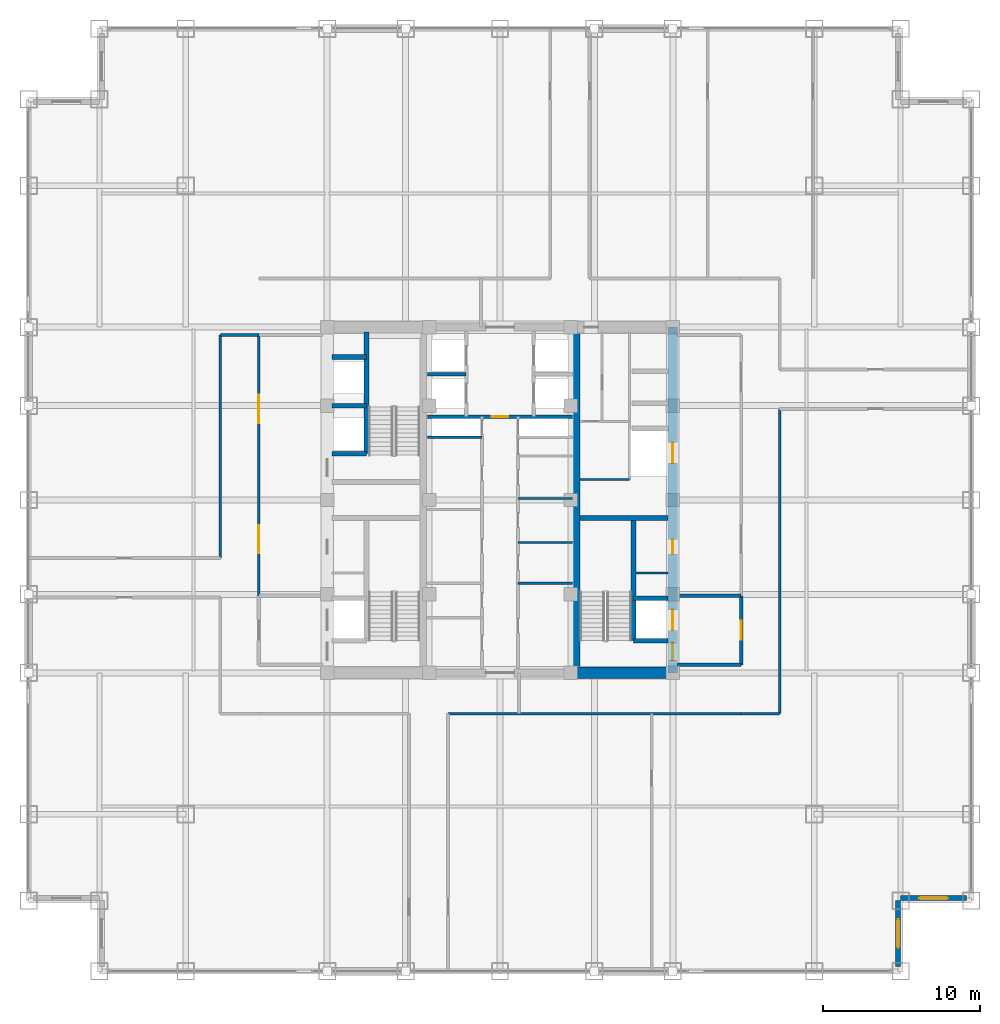
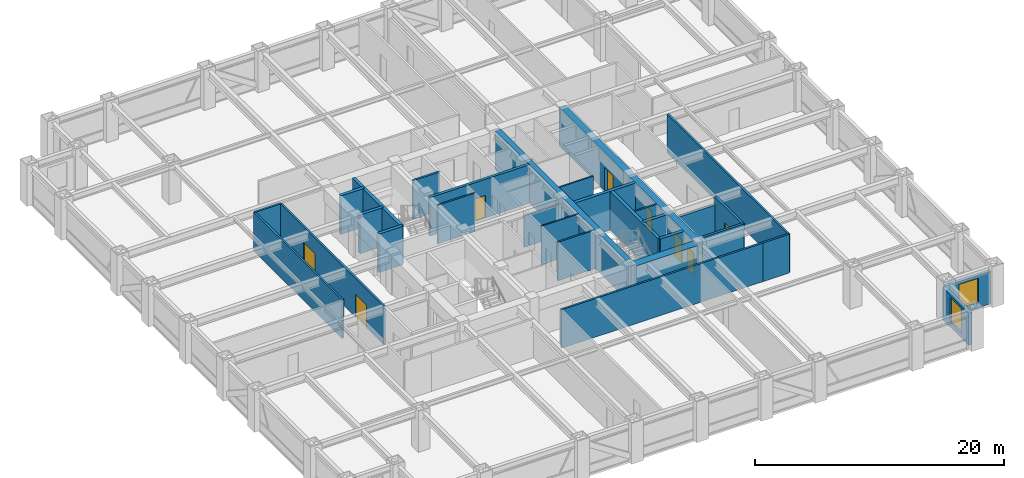
# One storey, part 21 of 24: 30 walls, 8 doors, 2 windows, 10 openings.
"""IFC4 building model written with IfcOpenShell, lengths in metres."""

import ifcopenshell
import ifcopenshell.guid

model = None  # the IFC model being written
_history = None  # IfcOwnerHistory: only IFC2X3 demands one
_inside = {}  # id of a spatial element -> (the spatial element, [elements in it])
_under = {}  # id of a project, library or spatial element -> (it, [spatial elements below it])
_declared = {}  # id of a project -> (the project, [libraries it declares])
_typed = {}  # id of a type object -> (the type object, [elements of that type])
_made_of = {}  # id of a material, layer set ... -> (it, [elements and type objects made of it])


def new_model(schema):
    """Start an empty IFC model of exactly this schema.

    Asked for "IFC4X3", IfcOpenShell would pick the latest addendum, in which some entities
    have other attributes; the version numbers below select the first issue.
    IFC2X3 requires an IfcOwnerHistory on every rooted entity: one is made here for all.
    """
    global model, _history
    if schema == "IFC4X3":
        model = ifcopenshell.file(schema_version=(4, 3, 0, 0))
    else:
        model = ifcopenshell.file(schema=schema)
    _inside.clear()
    _under.clear()
    _declared.clear()
    _typed.clear()
    _made_of.clear()
    _history = None
    if model.schema == "IFC2X3":
        org = make("IfcOrganization", Name="unknown")
        user = make(
            "IfcPersonAndOrganization",
            ThePerson=make("IfcPerson", FamilyName="unknown"),
            TheOrganization=org,
        )
        app = make(
            "IfcApplication",
            ApplicationDeveloper=org,
            Version="unknown",
            ApplicationFullName="unknown",
            ApplicationIdentifier="unknown",
        )
        _history = make(
            "IfcOwnerHistory",
            OwningUser=user,
            OwningApplication=app,
            ChangeAction="ADDED",
            CreationDate=0,
        )
    return model


def make(cls, **values):
    """One entity of the class cls with the attributes given. An attribute that is None is left unset."""
    return model.create_entity(
        cls, **{name: value for name, value in values.items() if value is not None}
    )


def rooted(cls, **values):
    """An entity with a GlobalId (a new one), such as an element, a storey or a relation."""
    return make(cls, GlobalId=ifcopenshell.guid.new(), OwnerHistory=_history, **values)


def si_unit(unit_type, name, prefix=None):
    """IfcSIUnit, for example si_unit("LENGTHUNIT", "METRE", prefix="MILLI")."""
    return make("IfcSIUnit", UnitType=unit_type, Prefix=prefix, Name=name)


def assignment(units):
    """IfcUnitAssignment: the units of a project."""
    return None if units is None else make("IfcUnitAssignment", Units=units)


def point(xyz):
    """IfcCartesianPoint."""
    return None if xyz is None else make("IfcCartesianPoint", Coordinates=xyz)


def direction(xyz):
    """IfcDirection."""
    return None if xyz is None else make("IfcDirection", DirectionRatios=xyz)


def frame(location, z_axis=None, x_axis=None):
    """IfcAxis2Placement3D, a coordinate frame: its origin and axes. An axis left out is left unset."""
    return make(
        "IfcAxis2Placement3D",
        Location=point(location),
        Axis=direction(z_axis),
        RefDirection=direction(x_axis),
    )


def frame_2d(location, x_axis=None):
    """IfcAxis2Placement2D, a coordinate frame in the plane: its origin and x axis."""
    return make(
        "IfcAxis2Placement2D", Location=point(location), RefDirection=direction(x_axis)
    )


def origin():
    """The frame at (0, 0, 0) with its axes left unset."""
    return frame((0.0, 0.0, 0.0))


def place(relative_to, where):
    """IfcLocalPlacement: puts the frame where relative to a parent placement (None: the world)."""
    return make(
        "IfcLocalPlacement", PlacementRelTo=relative_to, RelativePlacement=where
    )


def context(
    kind, dimensions, precision=None, world=None, true_north=None, identifier=None
):
    """IfcGeometricRepresentationContext, for example the 3D "Model" context."""
    return make(
        "IfcGeometricRepresentationContext",
        ContextIdentifier=identifier,
        ContextType=kind,
        CoordinateSpaceDimension=dimensions,
        Precision=precision,
        WorldCoordinateSystem=world,
        TrueNorth=true_north,
    )


def subcontext(parent, identifier, kind, view, scale=None):
    """IfcGeometricRepresentationSubContext, for example "Body" below "Model"."""
    return make(
        "IfcGeometricRepresentationSubContext",
        ContextIdentifier=identifier,
        ContextType=kind,
        ParentContext=parent,
        TargetScale=scale,
        TargetView=view,
    )


def project(units=None, contexts=None):
    """IfcProject with its units and contexts."""
    return rooted(
        "IfcProject",
        Name="project",
        RepresentationContexts=contexts,
        UnitsInContext=assignment(units),
    )


def spatial(cls, under=None, at=None, **own):
    """A site, building, storey or space (cls), placed at a placement, below another one or the project."""
    s = rooted(cls, ObjectPlacement=at, **own)
    if under is not None:
        _under.setdefault(under.id(), (under, []))[1].append(s)
    return s


def profile(cls, at=None, kind="AREA", **sizes):
    """A parametric profile (cls). Its sizes go by their IFC names, for example OverallWidth=200.0."""
    return make(cls, ProfileType=kind, Position=at, **sizes)


def rectangle(**sizes):
    """IfcRectangleProfileDef."""
    return profile("IfcRectangleProfileDef", **sizes)


def extrude(swept, where, along, depth):
    """IfcExtrudedAreaSolid: the profile swept, set in the frame where, extruded along a direction by depth."""
    return make(
        "IfcExtrudedAreaSolid",
        SweptArea=swept,
        Position=where,
        ExtrudedDirection=direction(along),
        Depth=depth,
    )


def shape(context_of_items, identifier, shape_type, items):
    """IfcShapeRepresentation: the items that make up one representation, for example the "Body"."""
    return make(
        "IfcShapeRepresentation",
        ContextOfItems=context_of_items,
        RepresentationIdentifier=identifier,
        RepresentationType=shape_type,
        Items=items,
    )


def source(mapping_origin, context_of_items, identifier, shape_type, items):
    """IfcRepresentationMap: a shape defined once, which mapped items show again and again."""
    return make(
        "IfcRepresentationMap",
        MappingOrigin=mapping_origin,
        MappedRepresentation=shape(context_of_items, identifier, shape_type, items),
    )


def transform(
    local_origin,
    x_axis=None,
    y_axis=None,
    z_axis=None,
    scale=None,
    scale2=None,
    scale3=None,
    uniform=True,
):
    """IfcCartesianTransformationOperator3D, or its non-uniform kind. x_axis, y_axis, z_axis: its Axis1, 2, 3."""
    if uniform:
        return make(
            "IfcCartesianTransformationOperator3D",
            Axis1=direction(x_axis),
            Axis2=direction(y_axis),
            LocalOrigin=point(local_origin),
            Scale=scale,
            Axis3=direction(z_axis),
        )
    return make(
        "IfcCartesianTransformationOperator3DnonUniform",
        Axis1=direction(x_axis),
        Axis2=direction(y_axis),
        LocalOrigin=point(local_origin),
        Scale=scale,
        Axis3=direction(z_axis),
        Scale2=scale2,
        Scale3=scale3,
    )


def mapped(mapping_source, mapping_target):
    """IfcMappedItem: shows the shape of a source again, moved by a transform."""
    return make(
        "IfcMappedItem", MappingSource=mapping_source, MappingTarget=mapping_target
    )


def material(Name=None, Category=None):
    """IfcMaterial."""
    return make("IfcMaterial", Name=Name, Category=Category)


def layer(
    of_material, thickness, ventilated=None, Name=None, Category=None, Priority=None
):
    """IfcMaterialLayer: one layer of a wall or slab, of a material (None: an air gap)."""
    return make(
        "IfcMaterialLayer",
        Material=of_material,
        LayerThickness=thickness,
        IsVentilated=ventilated,
        Name=Name,
        Category=Category,
        Priority=Priority,
    )


def layer_set(layers, Name=None):
    """IfcMaterialLayerSet."""
    return make("IfcMaterialLayerSet", MaterialLayers=layers, LayerSetName=Name)


def made_of(thing, what):
    """Note that an element or type object is made of a material, layer set ...; save() writes the relation."""
    if what is not None:
        _made_of.setdefault(what.id(), (what, []))[1].append(thing)
    return thing


def type_object(cls, material=None, **own):
    """A type object (cls), such as IfcWallType, which elements share."""
    return made_of(rooted(cls, **own), material)


def element(
    cls,
    number,
    at=None,
    inside=None,
    cuts=None,
    type_object=None,
    material=None,
    context=None,
    identifier="Body",
    shape_type=None,
    held_by="IfcProductDefinitionShape",
    body=None,
    shapes=None,
    **own,
):
    """One element of the class cls, such as IfcWall. Its Tag is "e" and its number.

    at: its placement. inside: the storey or other place that contains it. cuts: it is an
    opening in that element (IfcRelVoidsElement). A single representation is given by context,
    identifier, shape_type and body (its items); several are given by shapes. held_by: the class
    of the entity that holds the representations. save() writes the other relations.
    """
    e = rooted(cls, Tag="e%d" % number, ObjectPlacement=at, **own)
    if body is not None:
        shapes = [shape(context, identifier, shape_type, body)]
    if shapes is not None:
        e.Representation = make(held_by, Representations=shapes)
    if inside is not None:
        _inside.setdefault(inside.id(), (inside, []))[1].append(e)
    if cuts is not None:
        rooted(
            "IfcRelVoidsElement", RelatingBuildingElement=cuts, RelatedOpeningElement=e
        )
    if type_object is not None:
        _typed.setdefault(type_object.id(), (type_object, []))[1].append(e)
    return made_of(e, material)


def fill(opening, filler):
    """IfcRelFillsElement: the door or window that sits in an opening."""
    return rooted(
        "IfcRelFillsElement",
        RelatingOpeningElement=opening,
        RelatedBuildingElement=filler,
    )


def aggregate(whole, parts):
    """IfcRelAggregates: a whole, such as a stair, and the parts it consists of."""
    return rooted("IfcRelAggregates", RelatingObject=whole, RelatedObjects=parts)


def save(model, path):
    """Write the relations noted so far, then the file.

    IfcRelAggregates (storeys below a building ...), IfcRelContainedInSpatialStructure (elements
    in a storey), IfcRelDefinesByType, IfcRelAssociatesMaterial and IfcRelDeclares: one each for
    every whole, place, type object, material and project.
    """
    for whole, parts in _under.values():
        aggregate(whole, parts)
    for where, things in _inside.values():
        rooted(
            "IfcRelContainedInSpatialStructure",
            RelatedElements=things,
            RelatingStructure=where,
        )
    for kind, things in _typed.values():
        rooted("IfcRelDefinesByType", RelatedObjects=things, RelatingType=kind)
    for what, things in _made_of.values():
        rooted("IfcRelAssociatesMaterial", RelatedObjects=things, RelatingMaterial=what)
    for by, libraries in _declared.values():
        rooted("IfcRelDeclares", RelatingContext=by, RelatedDefinitions=libraries)
    model.write(path)


model = new_model("IFC4")

# Units and contexts
model_context = context("Model", 3, precision=1e-05, world=origin(), true_north=direction((0.0, 1.0)))
body_context = subcontext(model_context, "Body", "Model", "MODEL_VIEW")
ifc_project = project(units=[si_unit("LENGTHUNIT", "METRE"), si_unit("AREAUNIT", "SQUARE_METRE"), si_unit("VOLUMEUNIT", "CUBIC_METRE"), si_unit("PLANEANGLEUNIT", "RADIAN"), si_unit("MASSUNIT", "GRAM", prefix="KILO")], contexts=[model_context])

# Site, building, storey
site_placement = place(None, origin())
site = spatial("IfcSite", under=ifc_project, at=site_placement, CompositionType="ELEMENT")
building_placement = place(site_placement, origin())
building = spatial("IfcBuilding", under=site, at=building_placement, Name="Khorayat Bourse Tower", CompositionType="ELEMENT")
storey_placement = place(building_placement, frame((0.0, 0.0, 167.10009765625)))
storey = spatial("IfcBuildingStorey", under=building, at=storey_placement, Name="L38", CompositionType="ELEMENT", Elevation=167.10009765625)

# Wall, openings, doors
ifc_material_1 = material(Name="Concrete C60/75", Category="concrete")
ifc_layer_1 = layer(ifc_material_1, 0.60009765625)
ifc_layer_set_1 = layer_set([ifc_layer_1], Name="Concrete C60/75")
wall_type_1 = type_object("IfcWallType", Name="WAL-CORE-600", PredefinedType="SHEAR", material=ifc_layer_set_1)
shared_shape_1 = source(origin(), body_context, "Body", "SweptSolid", [
    extrude(rectangle(XDim=22.0, YDim=0.60009765625, at=frame_2d((11.0, 0.0))), origin(), (0.0, 0.0, 1.0), 3.77978515625),
])
wall_1_placement = place(storey_placement, frame((11.0, -11.0, 0.0), z_axis=(0.0, 0.0, 1.0), x_axis=(0.0, 1.0, 0.0)))
wall_1 = element("IfcWall", 1, at=wall_1_placement, inside=storey, type_object=wall_type_1, Name="L38 Core Shear Wall CORE-E", PredefinedType="SHEAR", context=body_context, shape_type="MappedRepresentation", body=[
    mapped(shared_shape_1, transform((0.0, 0.0, 0.0), scale=1.0)),
])
shared_shape_2 = source(origin(), body_context, "Body", "SweptSolid", [
    extrude(rectangle(XDim=1.10009765625, YDim=2.199951171875, at=frame_2d((0.550048828125, 1.10009765625))), frame((0.0, 0.31005859375, 0.0), z_axis=(0.0, -1.0, 0.0), x_axis=(1.0, 0.0, 0.0)), (0.0, 0.0, 1.0), 0.6201171875),
])
opening_1_placement = place(wall_1_placement, frame((0.800048828125, 0.0, 0.0)))
opening_1 = element("IfcOpeningElement", 2, at=opening_1_placement, cuts=wall_1, Name="Opening DI-01", PredefinedType="OPENING", context=body_context, shape_type="MappedRepresentation", body=[
    mapped(shared_shape_2, transform((0.0, 0.0, 0.0), scale=1.0)),
])
shared_shape_3 = source(origin(), body_context, "Body", "SweptSolid", [
    extrude(rectangle(XDim=0.89990234375, YDim=2.14990234375, at=frame_2d((0.449951171875, 1.074951171875))), frame((0.0, 0.31005859375, 0.0), z_axis=(0.0, -1.0, 0.0), x_axis=(1.0, 0.0, 0.0)), (0.0, 0.0, 1.0), 0.6201171875),
])
opening_2_placement = place(wall_1_placement, frame((7.574951171875, 0.0, 0.0)))
opening_2 = element("IfcOpeningElement", 3, at=opening_2_placement, cuts=wall_1, Name="Opening DI-06", PredefinedType="OPENING", context=body_context, shape_type="MappedRepresentation", body=[
    mapped(shared_shape_3, transform((0.0, 0.0, 0.0), scale=1.0)),
])
shared_shape_4 = source(origin(), body_context, "Body", "SweptSolid", [
    extrude(rectangle(XDim=1.300048828125, YDim=2.300048828125, at=frame_2d((0.64990234375, 1.14990234375))), frame((0.0, 0.31005859375, 0.0), z_axis=(0.0, -1.0, 0.0), x_axis=(1.0, 0.0, 0.0)), (0.0, 0.0, 1.0), 0.6201171875),
])
opening_3_placement = place(wall_1_placement, frame((2.699951171875, 0.0, 0.0)))
opening_3 = element("IfcOpeningElement", 4, at=opening_3_placement, cuts=wall_1, Name="Opening LD-02", PredefinedType="OPENING", context=body_context, shape_type="MappedRepresentation", body=[
    mapped(shared_shape_4, transform((0.0, 0.0, 0.0), scale=1.0)),
])
opening_4_placement = place(wall_1_placement, frame((13.35009765625, 0.0, 0.0)))
opening_4 = element("IfcOpeningElement", 5, at=opening_4_placement, cuts=wall_1, Name="Opening LD-02", PredefinedType="OPENING", context=body_context, shape_type="MappedRepresentation", body=[
    mapped(shared_shape_4, transform((0.0, 0.0, 0.0), scale=1.0)),
])
ifc_material_2 = material(Name="Fire-rated steel acoustic leaf", Category="steel")
door_type_1 = type_object("IfcDoorType", Name="DR-INT-STAIR-1100", OperationType="NOTDEFINED", PredefinedType="DOOR", material=ifc_material_2)
shared_shape_5 = source(origin(), body_context, "Body", "SweptSolid", [
    extrude(rectangle(XDim=1.10009765625, YDim=2.199951171875, at=frame_2d((0.550048828125, 1.10009765625))), frame((0.0, 0.02490234375, 0.0), z_axis=(0.0, -1.0, 0.0), x_axis=(1.0, 0.0, 0.0)), (0.0, 0.0, 1.0), 0.050048828125),
])
door_1_placement = place(opening_1_placement, origin())
door_1 = element("IfcDoor", 6, at=door_1_placement, inside=storey, type_object=door_type_1, Name="L38 Exit Stair 3 Door", OperationType="SINGLE_SWING_LEFT", OverallHeight=2.199951171875, OverallWidth=1.10009765625, PredefinedType="DOOR", context=body_context, shape_type="MappedRepresentation", body=[
    mapped(shared_shape_5, transform((0.0, 0.0, 0.0), scale=1.0)),
])
fill(opening_1, door_1)
ifc_material_3 = material(Name="Moisture-resistant laminate washroom door")
door_type_2 = type_object("IfcDoorType", Name="DR-INT-WC-900", OperationType="NOTDEFINED", PredefinedType="DOOR", material=ifc_material_3)
shared_shape_6 = source(origin(), body_context, "Body", "SweptSolid", [
    extrude(rectangle(XDim=0.89990234375, YDim=2.14990234375, at=frame_2d((0.449951171875, 1.074951171875))), frame((0.0, 0.02490234375, 0.0), z_axis=(0.0, -1.0, 0.0), x_axis=(1.0, 0.0, 0.0)), (0.0, 0.0, 1.0), 0.050048828125),
])
door_2_placement = place(opening_2_placement, origin())
door_2 = element("IfcDoor", 7, at=door_2_placement, inside=storey, type_object=door_type_2, Name="L38 Fiber Server Plant Room Door", OperationType="SINGLE_SWING_LEFT", OverallHeight=2.14990234375, OverallWidth=0.89990234375, PredefinedType="DOOR", context=body_context, shape_type="MappedRepresentation", body=[
    mapped(shared_shape_6, transform((0.0, 0.0, 0.0), scale=1.0)),
])
fill(opening_2, door_2)
ifc_material_4 = material(Name="Fire-rated stainless-steel sliding landing door", Category="steel")
door_type_3 = type_object("IfcDoorType", Name="DR-LIFT-FF-1300", OperationType="NOTDEFINED", PredefinedType="DOOR", material=ifc_material_4)
shared_shape_7 = source(origin(), body_context, "Body", "SweptSolid", [
    extrude(rectangle(XDim=1.300048828125, YDim=2.300048828125, at=frame_2d((0.64990234375, 1.14990234375))), frame((0.0, 0.02490234375, 0.0), z_axis=(0.0, -1.0, 0.0), x_axis=(1.0, 0.0, 0.0)), (0.0, 0.0, 1.0), 0.050048828125),
])
door_3_placement = place(opening_3_placement, origin())
door_3 = element("IfcDoor", 8, at=door_3_placement, inside=storey, type_object=door_type_3, Name="L38 Lift FFL-02 Sliding Landing Door", OperationType="SLIDING_TO_LEFT", OverallHeight=2.300048828125, OverallWidth=1.300048828125, PredefinedType="DOOR", context=body_context, shape_type="MappedRepresentation", body=[
    mapped(shared_shape_7, transform((0.0, 0.0, 0.0), scale=1.0)),
])
fill(opening_3, door_3)
door_4_placement = place(opening_4_placement, origin())
door_4 = element("IfcDoor", 9, at=door_4_placement, inside=storey, type_object=door_type_3, Name="L38 Lift SVL-01 Sliding Landing Door", OperationType="SLIDING_TO_LEFT", OverallHeight=2.300048828125, OverallWidth=1.300048828125, PredefinedType="DOOR", context=body_context, shape_type="MappedRepresentation", body=[
    mapped(shared_shape_7, transform((0.0, 0.0, 0.0), scale=1.0)),
])
fill(opening_4, door_4)

# Walls
ifc_material_5 = material(Name="Concrete C52/65", Category="concrete")
ifc_layer_2 = layer(ifc_material_5, 0.5)
ifc_layer_set_2 = layer_set([ifc_layer_2], Name="Concrete C52/65")
wall_type_2 = type_object("IfcWallType", Name="WAL-CORE-500", PredefinedType="SHEAR", material=ifc_layer_set_2)
shared_shape_8 = source(origin(), body_context, "Body", "SweptSolid", [
    extrude(rectangle(XDim=21.39990234375, YDim=0.5, at=frame_2d((10.699951171875, 0.0))), origin(), (0.0, 0.0, 1.0), 3.77978515625),
])
wall_2_placement = place(storey_placement, frame((4.85009765625, -10.699951171875, 0.0), z_axis=(0.0, 0.0, 1.0), x_axis=(0.0, 1.0, 0.0)))
element("IfcWall", 10, at=wall_2_placement, inside=storey, type_object=wall_type_2, Name="L38 Core Shear Wall PIER-E", PredefinedType="SHEAR", context=body_context, shape_type="MappedRepresentation", body=[
    mapped(shared_shape_8, transform((0.0, 0.0, 0.0), scale=1.0)),
])
ifc_material_6 = material(Name="Concrete C72/90", Category="concrete")
ifc_layer_3 = layer(ifc_material_6, 0.75)
ifc_layer_set_3 = layer_set([ifc_layer_3], Name="Concrete C72/90")
wall_type_3 = type_object("IfcWallType", Name="WAL-CORE-750", PredefinedType="SHEAR", material=ifc_layer_set_3)
shared_shape_9 = source(origin(), body_context, "Body", "SweptSolid", [
    extrude(rectangle(XDim=5.849853515625, YDim=0.75, at=frame_2d((2.9248046875, 0.0))), origin(), (0.0, 0.0, 1.0), 3.77978515625),
])
wall_3_placement = place(storey_placement, frame((4.85009765625, -11.0, 0.0), z_axis=(0.0, 0.0, 1.0), x_axis=(1.0, 0.0, 0.0)))
element("IfcWall", 11, at=wall_3_placement, inside=storey, type_object=wall_type_3, Name="L38 Core Shear Wall PIER-ES", PredefinedType="SHEAR", context=body_context, shape_type="MappedRepresentation", body=[
    mapped(shared_shape_9, transform((0.0, 0.0, 0.0), scale=1.0)),
])
ifc_material_7 = material(Name="Concrete C50/60", Category="concrete")
ifc_layer_4 = layer(ifc_material_7, 0.300048828125)
ifc_layer_set_4 = layer_set([ifc_layer_4], Name="Concrete C50/60")
wall_type_4 = type_object("IfcWallType", Name="WAL-SHAFT-300", PredefinedType="SHEAR", material=ifc_layer_set_4)
shared_shape_10 = source(origin(), body_context, "Body", "SweptSolid", [
    extrude(rectangle(XDim=5.599853515625, YDim=0.300048828125, at=frame_2d((2.7998046875, 0.0))), origin(), (0.0, 0.0, 1.0), 3.77978515625),
])
wall_4_placement = place(storey_placement, frame((5.10009765625, -1.14990234375, 0.0), z_axis=(0.0, 0.0, 1.0), x_axis=(1.0, 0.0, 0.0)))
element("IfcWall", 12, at=wall_4_placement, inside=storey, type_object=wall_type_4, Name="L38 Core Shear Wall ST3-DIV", PredefinedType="SHEAR", context=body_context, shape_type="MappedRepresentation", body=[
    mapped(shared_shape_10, transform((0.0, 0.0, 0.0), scale=1.0)),
])

# Wall, opening, window
ifc_material_8 = material(Name="Precast concrete C45/55", Category="concrete")
ifc_layer_5 = layer(ifc_material_8, 0.320068359375)
ifc_layer_set_5 = layer_set([ifc_layer_5], Name="Precast concrete C45/55")
wall_type_5 = type_object("IfcWallType", Name="WAL-EXT-STONE-320", PredefinedType="STANDARD", material=ifc_layer_set_5)
shared_shape_11 = source(origin(), body_context, "Body", "SweptSolid", [
    extrude(rectangle(XDim=4.179931640625, YDim=0.320068359375, at=frame_2d((2.08984375, 0.0))), origin(), (0.0, 0.0, 1.0), 3.163818359375),
])
wall_5_placement = place(storey_placement, frame((25.340087890625, -29.679931640625, 0.0), z_axis=(0.0, 0.0, 1.0), x_axis=(0.0, 1.0, 0.0)))
wall_5 = element("IfcWall", 13, at=wall_5_placement, inside=storey, type_object=wall_type_5, Name="L38 Re-Entrant Notch Limestone Wall SE-V", PredefinedType="STANDARD", context=body_context, shape_type="MappedRepresentation", body=[
    mapped(shared_shape_11, transform((0.0, 0.0, 0.0), scale=1.0)),
])
shared_shape_12 = source(origin(), body_context, "Body", "SweptSolid", [
    extrude(rectangle(XDim=1.800048828125, YDim=2.39990234375, at=frame_2d((0.89990234375, 1.199951171875))), frame((0.0, 0.169921875, 0.0), z_axis=(0.0, -1.0, 0.0), x_axis=(1.0, 0.0, 0.0)), (0.0, 0.0, 1.0), 0.340087890625),
])
opening_5_placement = place(wall_5_placement, frame((1.18994140625, 0.0, 0.5)))
opening_5 = element("IfcOpeningElement", 14, at=opening_5_placement, cuts=wall_5, Name="Opening WN-04", PredefinedType="OPENING", context=body_context, shape_type="MappedRepresentation", body=[
    mapped(shared_shape_12, transform((0.0, 0.0, 0.0), scale=1.0)),
])
ifc_material_9 = material(Name="Low-E acoustic laminated double glazing", Category="glass")
window_type = type_object("IfcWindowType", Name="WIN-NOTCH-1800x2400", PartitioningType="SINGLE_PANEL", PredefinedType="WINDOW", material=ifc_material_9)
shared_shape_13 = source(origin(), body_context, "Body", "SweptSolid", [
    extrude(rectangle(XDim=1.800048828125, YDim=2.39990234375, at=frame_2d((0.89990234375, 1.199951171875))), frame((0.0, 0.030029296875, 0.0), z_axis=(0.0, -1.0, 0.0), x_axis=(1.0, 0.0, 0.0)), (0.0, 0.0, 1.0), 0.06005859375),
])
window_1_placement = place(opening_5_placement, origin())
window_1 = element("IfcWindow", 15, at=window_1_placement, inside=storey, type_object=window_type, Name="L38 Facade Window 1", OverallHeight=2.39990234375, OverallWidth=1.800048828125, PartitioningType="SINGLE_PANEL", PredefinedType="WINDOW", context=body_context, shape_type="MappedRepresentation", body=[
    mapped(shared_shape_13, transform((0.0, 0.0, 0.0), scale=1.0)),
])
fill(opening_5, window_1)

wall_6_placement = place(storey_placement, frame((25.5, -25.340087890625, 0.0), z_axis=(0.0, 0.0, 1.0), x_axis=(1.0, 0.0, 0.0)))
wall_6 = element("IfcWall", 16, at=wall_6_placement, inside=storey, type_object=wall_type_5, Name="L38 Re-Entrant Notch Limestone Wall SE-H", PredefinedType="STANDARD", context=body_context, shape_type="MappedRepresentation", body=[
    mapped(shared_shape_11, transform((0.0, 0.0, 0.0), scale=1.0)),
])
opening_6_placement = place(wall_6_placement, frame((1.18994140625, 0.0, 0.5)))
opening_6 = element("IfcOpeningElement", 17, at=opening_6_placement, cuts=wall_6, Name="Opening WN-04", PredefinedType="OPENING", context=body_context, shape_type="MappedRepresentation", body=[
    mapped(shared_shape_12, transform((0.0, 0.0, 0.0), scale=1.0)),
])
window_2_placement = place(opening_6_placement, origin())
window_2 = element("IfcWindow", 18, at=window_2_placement, inside=storey, type_object=window_type, Name="L38 Facade Window 1", OverallHeight=2.39990234375, OverallWidth=1.800048828125, PartitioningType="SINGLE_PANEL", PredefinedType="WINDOW", context=body_context, shape_type="MappedRepresentation", body=[
    mapped(shared_shape_13, transform((0.0, 0.0, 0.0), scale=1.0)),
])
fill(opening_6, window_2)

# Walls
shared_shape_14 = source(origin(), body_context, "Body", "SweptSolid", [
    extrude(rectangle(XDim=7.800048828125, YDim=0.300048828125, at=frame_2d((3.89990234375, 0.0))), origin(), (0.0, 0.0, 1.0), 3.77978515625),
])
wall_7_placement = place(storey_placement, frame((8.5, -8.949951171875, 0.0), z_axis=(0.0, 0.0, 1.0), x_axis=(0.0, 1.0, 0.0)))
element("IfcWall", 19, at=wall_7_placement, inside=storey, type_object=wall_type_4, Name="L38 Partition WAL-L38-EPIER-SP", PredefinedType="SHEAR", context=body_context, shape_type="MappedRepresentation", body=[
    mapped(shared_shape_14, transform((0.0, 0.0, 0.0), scale=1.0)),
])
shared_shape_15 = source(origin(), body_context, "Body", "SweptSolid", [
    extrude(rectangle(XDim=2.199951171875, YDim=0.300048828125, at=frame_2d((1.10009765625, 0.0))), origin(), (0.0, 0.0, 1.0), 3.77978515625),
])
for number, where, z_axis, x_axis, name in (
    (20, (-10.699951171875, 2.949951171875, 0.0), (0.0, 0.0, 1.0), (1.0, 0.0, 0.0), "L38 Partition WAL-L38-WPIER-H1S"),
    (21, (-10.699951171875, 6.0, 0.0), (0.0, 0.0, 1.0), (1.0, 0.0, 0.0), "L38 Partition WAL-L38-WPIER-H12"),
    (22, (-10.699951171875, 9.10009765625, 0.0), (0.0, 0.0, 1.0), (1.0, 0.0, 0.0), "L38 Partition WAL-L38-WPIER-H2N"),
    (23, (8.5, -8.949951171875, 0.0), (0.0, 0.0, 1.0), (1.0, 0.0, 0.0), "L38 Partition WAL-L38-EPIER-FF2S"),
    (24, (8.5, -6.25, 0.0), (0.0, 0.0, 1.0), (1.0, 0.0, 0.0), "L38 Partition WAL-L38-EPIER-FF2N"),
):
    element("IfcWall", number, at=place(storey_placement, frame(where, z_axis=z_axis, x_axis=x_axis)), inside=storey, type_object=wall_type_4, Name=name, PredefinedType="SHEAR", context=body_context, shape_type="MappedRepresentation", body=[
        mapped(shared_shape_15, transform((0.0, 0.0, 0.0), scale=1.0)),
    ])
shared_shape_16 = source(origin(), body_context, "Body", "SweptSolid", [
    extrude(rectangle(XDim=7.75, YDim=0.300048828125, at=frame_2d((3.875, 0.0))), origin(), (0.0, 0.0, 1.0), 3.77978515625),
])
wall_8_placement = place(storey_placement, frame((-8.5, 2.949951171875, 0.0), z_axis=(0.0, 0.0, 1.0), x_axis=(0.0, 1.0, 0.0)))
element("IfcWall", 25, at=wall_8_placement, inside=storey, type_object=wall_type_4, Name="L38 Partition WAL-L38-WPIER-ST2S", PredefinedType="SHEAR", context=body_context, shape_type="MappedRepresentation", body=[
    mapped(shared_shape_16, transform((0.0, 0.0, 0.0), scale=1.0)),
])
ifc_material_10 = material(Name="Gypsum plasterboard twin-frame partition")
ifc_layer_6 = layer(ifc_material_10, 0.14990234375)
ifc_layer_set_6 = layer_set([ifc_layer_6], Name="Gypsum plasterboard twin-frame partition")
wall_type_6 = type_object("IfcWallType", Name="WAL-PART-SUITE-150", PredefinedType="PARTITIONING", material=ifc_layer_set_6)
shared_shape_17 = source(origin(), body_context, "Body", "SweptSolid", [
    extrude(rectangle(XDim=2.050048828125, YDim=0.14990234375, at=frame_2d((1.02490234375, 0.0))), origin(), (0.0, 0.0, 1.0), 3.77978515625),
])
wall_9_placement = place(storey_placement, frame((8.64990234375, -4.64990234375, 0.0), z_axis=(0.0, 0.0, 1.0), x_axis=(1.0, 0.0, 0.0)))
element("IfcWall", 26, at=wall_9_placement, inside=storey, type_object=wall_type_6, Name="L38 Partition WAL-L38-ESRV-S0", PredefinedType="PARTITIONING", context=body_context, shape_type="MappedRepresentation", body=[
    mapped(shared_shape_17, transform((0.0, 0.0, 0.0), scale=1.0)),
])
ifc_material_11 = material(Name="Moisture-resistant masonry partition", Category="masonry")
ifc_layer_7 = layer(ifc_material_11, 0.139892578125)
ifc_layer_set_7 = layer_set([ifc_layer_7], Name="Moisture-resistant masonry partition")
wall_type_7 = type_object("IfcWallType", Name="WAL-PART-WET-140", PredefinedType="PARTITIONING", material=ifc_layer_set_7)
shared_shape_18 = source(origin(), body_context, "Body", "SweptSolid", [
    extrude(rectangle(XDim=3.14990234375, YDim=0.139892578125, at=frame_2d((1.574951171875, 0.0))), origin(), (0.0, 0.0, 1.0), 3.77978515625),
])
wall_10_placement = place(storey_placement, frame((5.10009765625, 1.300048828125, 0.0), z_axis=(0.0, 0.0, 1.0), x_axis=(1.0, 0.0, 0.0)))
element("IfcWall", 27, at=wall_10_placement, inside=storey, type_object=wall_type_7, Name="L38 Partition WAL-L38-ECORE-S", PredefinedType="PARTITIONING", context=body_context, shape_type="MappedRepresentation", body=[
    mapped(shared_shape_18, transform((0.0, 0.0, 0.0), scale=1.0)),
])
ifc_material_12 = material(Name="Aerated concrete blockwork", Category="masonry")
ifc_layer_8 = layer(ifc_material_12, 0.219970703125)
ifc_layer_set_8 = layer_set([ifc_layer_8], Name="Aerated concrete blockwork")
wall_type_8 = type_object("IfcWallType", Name="WAL-PART-FF-220", PredefinedType="PARTITIONING", material=ifc_layer_set_8)
shared_shape_19 = source(origin(), body_context, "Body", "SweptSolid", [
    extrude(rectangle(XDim=4.050048828125, YDim=0.219970703125, at=frame_2d((2.02490234375, 0.0))), origin(), (0.0, 0.0, 1.0), 3.77978515625),
])
wall_11_placement = place(storey_placement, frame((11.300048828125, -10.5, 0.0), z_axis=(0.0, 0.0, 1.0), x_axis=(1.0, 0.0, 0.0)))
element("IfcWall", 28, at=wall_11_placement, inside=storey, type_object=wall_type_8, Name="L38 Partition WAL-L38-FFLE-S", PredefinedType="PARTITIONING", context=body_context, shape_type="MappedRepresentation", body=[
    mapped(shared_shape_19, transform((0.0, 0.0, 0.0), scale=1.0)),
])
shared_shape_20 = source(origin(), body_context, "Body", "SweptSolid", [
    extrude(rectangle(XDim=4.050048828125, YDim=0.219970703125, at=frame_2d((2.02490234375, 0.0))), origin(), (0.0, 0.0, 1.0), 3.0068359375),
])
wall_12_placement = place(storey_placement, frame((11.300048828125, -6.10009765625, 0.0), z_axis=(0.0, 0.0, 1.0), x_axis=(1.0, 0.0, 0.0)))
element("IfcWall", 29, at=wall_12_placement, inside=storey, type_object=wall_type_8, Name="L38 Partition WAL-L38-FFLE-N", PredefinedType="PARTITIONING", context=body_context, shape_type="MappedRepresentation", body=[
    mapped(shared_shape_20, transform((0.0, 0.0, 0.0), scale=1.0)),
])

# Wall, opening, door
shared_shape_21 = source(origin(), body_context, "Body", "SweptSolid", [
    extrude(rectangle(XDim=4.39990234375, YDim=0.219970703125, at=frame_2d((2.199951171875, 0.0))), origin(), (0.0, 0.0, 1.0), 3.77978515625),
])
wall_13_placement = place(storey_placement, frame((15.35009765625, -10.5, 0.0), z_axis=(0.0, 0.0, 1.0), x_axis=(0.0, 1.0, 0.0)))
wall_13 = element("IfcWall", 30, at=wall_13_placement, inside=storey, type_object=wall_type_8, Name="L38 Partition WAL-L38-FFLE-E", PredefinedType="PARTITIONING", context=body_context, shape_type="MappedRepresentation", body=[
    mapped(shared_shape_21, transform((0.0, 0.0, 0.0), scale=1.0)),
])
shared_shape_22 = source(origin(), body_context, "Body", "SweptSolid", [
    extrude(rectangle(XDim=1.199951171875, YDim=2.199951171875, at=frame_2d((0.60009765625, 1.10009765625))), frame((0.0, 0.119873046875, 0.0), z_axis=(0.0, -1.0, 0.0), x_axis=(1.0, 0.0, 0.0)), (0.0, 0.0, 1.0), 0.239990234375),
])
opening_7_placement = place(wall_13_placement, frame((1.60009765625, 0.0, 0.0)))
opening_7 = element("IfcOpeningElement", 31, at=opening_7_placement, cuts=wall_13, Name="Opening DI-02", PredefinedType="OPENING", context=body_context, shape_type="MappedRepresentation", body=[
    mapped(shared_shape_22, transform((0.0, 0.0, 0.0), scale=1.0)),
])
ifc_material_13 = material(Name="Fire-rated steel double-seal leaf", Category="steel")
door_type_4 = type_object("IfcDoorType", Name="DR-INT-FFLOBBY-1200", OperationType="NOTDEFINED", PredefinedType="DOOR", material=ifc_material_13)
shared_shape_23 = source(origin(), body_context, "Body", "SweptSolid", [
    extrude(rectangle(XDim=1.199951171875, YDim=2.199951171875, at=frame_2d((0.60009765625, 1.10009765625))), frame((0.0, 0.02490234375, 0.0), z_axis=(0.0, -1.0, 0.0), x_axis=(1.0, 0.0, 0.0)), (0.0, 0.0, 1.0), 0.050048828125),
])
door_5_placement = place(opening_7_placement, origin())
door_5 = element("IfcDoor", 32, at=door_5_placement, inside=storey, type_object=door_type_4, Name="L38 East Firefighting Lobby Door", OperationType="SINGLE_SWING_RIGHT", OverallHeight=2.199951171875, OverallWidth=1.199951171875, PredefinedType="DOOR", context=body_context, shape_type="MappedRepresentation", body=[
    mapped(shared_shape_23, transform((0.0, 0.0, 0.0), scale=1.0)),
])
fill(opening_7, door_5)

# Wall, openings, doors
ifc_material_14 = material(Name="Gypsum plasterboard acoustic stud wall")
ifc_layer_9 = layer(ifc_material_14, 0.179931640625)
ifc_layer_set_9 = layer_set([ifc_layer_9], Name="Gypsum plasterboard acoustic stud wall")
wall_type_9 = type_object("IfcWallType", Name="WAL-PART-CORR-180", PredefinedType="PARTITIONING", material=ifc_layer_set_9)
shared_shape_24 = source(origin(), body_context, "Body", "SweptSolid", [
    extrude(rectangle(XDim=16.60009765625, YDim=0.179931640625, at=frame_2d((8.300048828125, 0.0))), origin(), (0.0, 0.0, 1.0), 3.77978515625),
])
wall_14_placement = place(storey_placement, frame((-15.35009765625, -6.10009765625, 0.0), z_axis=(0.0, 0.0, 1.0), x_axis=(0.0, 1.0, 0.0)))
wall_14 = element("IfcWall", 33, at=wall_14_placement, inside=storey, type_object=wall_type_9, Name="L38 Partition WAL-L38-WLOB-W", PredefinedType="PARTITIONING", context=body_context, shape_type="MappedRepresentation", body=[
    mapped(shared_shape_24, transform((0.0, 0.0, 0.0), scale=1.0)),
])
shared_shape_25 = source(origin(), body_context, "Body", "SweptSolid", [
    extrude(rectangle(XDim=1.800048828125, YDim=2.25, at=frame_2d((0.89990234375, 1.125))), frame((0.0, 0.099853515625, 0.0), z_axis=(0.0, -1.0, 0.0), x_axis=(1.0, 0.0, 0.0)), (0.0, 0.0, 1.0), 0.199951171875),
])
opening_8_placement = place(wall_14_placement, frame((2.699951171875, 0.0, 0.0)))
opening_8 = element("IfcOpeningElement", 34, at=opening_8_placement, cuts=wall_14, Name="Opening DI-03", PredefinedType="OPENING", context=body_context, shape_type="MappedRepresentation", body=[
    mapped(shared_shape_25, transform((0.0, 0.0, 0.0), scale=1.0)),
])
opening_9_placement = place(wall_14_placement, frame((11.0, 0.0, 0.0)))
opening_9 = element("IfcOpeningElement", 35, at=opening_9_placement, cuts=wall_14, Name="Opening DI-03", PredefinedType="OPENING", context=body_context, shape_type="MappedRepresentation", body=[
    mapped(shared_shape_25, transform((0.0, 0.0, 0.0), scale=1.0)),
])
ifc_material_15 = material(Name="Fire-rated hardwood vision-panel double leaf", Category="wood")
door_type_5 = type_object("IfcDoorType", Name="DR-INT-CORR-1800", OperationType="NOTDEFINED", PredefinedType="DOOR", material=ifc_material_15)
shared_shape_26 = source(origin(), body_context, "Body", "SweptSolid", [
    extrude(rectangle(XDim=1.800048828125, YDim=2.25, at=frame_2d((0.89990234375, 1.125))), frame((0.0, 0.02490234375, 0.0), z_axis=(0.0, -1.0, 0.0), x_axis=(1.0, 0.0, 0.0)), (0.0, 0.0, 1.0), 0.050048828125),
])
door_6_placement = place(opening_8_placement, origin())
door_6 = element("IfcDoor", 36, at=door_6_placement, inside=storey, type_object=door_type_5, Name="L38 West Core Lobby South Door", OperationType="SINGLE_SWING_LEFT", OverallHeight=2.25, OverallWidth=1.800048828125, PredefinedType="DOOR", context=body_context, shape_type="MappedRepresentation", body=[
    mapped(shared_shape_26, transform((0.0, 0.0, 0.0), scale=1.0)),
])
fill(opening_8, door_6)
door_7_placement = place(opening_9_placement, origin())
door_7 = element("IfcDoor", 37, at=door_7_placement, inside=storey, type_object=door_type_5, Name="L38 West Core Lobby North Door", OperationType="SINGLE_SWING_RIGHT", OverallHeight=2.25, OverallWidth=1.800048828125, PredefinedType="DOOR", context=body_context, shape_type="MappedRepresentation", body=[
    mapped(shared_shape_26, transform((0.0, 0.0, 0.0), scale=1.0)),
])
fill(opening_9, door_7)

# Walls
shared_shape_27 = source(origin(), body_context, "Body", "SweptSolid", [
    extrude(rectangle(XDim=3.4501953125, YDim=0.14990234375, at=frame_2d((1.72509765625, 0.0))), origin(), (0.0, 0.0, 1.0), 3.77978515625),
])
for number, where, z_axis, x_axis, name in (
    (38, (-4.60009765625, 4.0, 0.0), (0.0, 0.0, 1.0), (1.0, 0.0, 0.0), "L38 Partition WAL-L38-CRSW-S"),
    (39, (1.14990234375, -5.300048828125, 0.0), (0.0, 0.0, 1.0), (1.0, 0.0, 0.0), "L38 Partition WAL-L38-FB1-NE"),
):
    element("IfcWall", number, at=place(storey_placement, frame(where, z_axis=z_axis, x_axis=x_axis)), inside=storey, type_object=wall_type_6, Name=name, PredefinedType="PARTITIONING", context=body_context, shape_type="MappedRepresentation", body=[
        mapped(shared_shape_27, transform((0.0, 0.0, 0.0), scale=1.0)),
    ])
shared_shape_28 = source(origin(), body_context, "Body", "SweptSolid", [
    extrude(rectangle(XDim=3.4501953125, YDim=0.139892578125, at=frame_2d((1.72509765625, 0.0))), origin(), (0.0, 0.0, 1.0), 3.77978515625),
])
wall_15_placement = place(storey_placement, frame((1.14990234375, -2.699951171875, 0.0), z_axis=(0.0, 0.0, 1.0), x_axis=(1.0, 0.0, 0.0)))
element("IfcWall", 40, at=wall_15_placement, inside=storey, type_object=wall_type_7, Name="L38 Partition WAL-L38-CME-D1", PredefinedType="PARTITIONING", context=body_context, shape_type="MappedRepresentation", body=[
    mapped(shared_shape_28, transform((0.0, 0.0, 0.0), scale=1.0)),
])
shared_shape_29 = source(origin(), body_context, "Body", "SweptSolid", [
    extrude(rectangle(XDim=2.4501953125, YDim=0.199951171875, at=frame_2d((1.22509765625, 0.0))), origin(), (0.0, 0.0, 1.0), 3.77978515625),
])
wall_16_placement = place(storey_placement, frame((-4.60009765625, 8.0, 0.0), z_axis=(0.0, 0.0, 1.0), x_axis=(1.0, 0.0, 0.0)))
element("IfcWall", 41, at=wall_16_placement, inside=storey, type_object=wall_type_4, Name="L38 Partition WAL-L38-B2-MW", PredefinedType="SHEAR", context=body_context, shape_type="MappedRepresentation", body=[
    mapped(shared_shape_29, transform((0.0, 0.0, 0.0), scale=1.0)),
])

# Wall, opening, door
shared_shape_30 = source(origin(), body_context, "Body", "SweptSolid", [
    extrude(rectangle(XDim=9.2001953125, YDim=0.25, at=frame_2d((4.60009765625, 0.0))), origin(), (0.0, 0.0, 1.0), 3.77978515625),
])
wall_17_placement = place(storey_placement, frame((-4.60009765625, 5.300048828125, 0.0), z_axis=(0.0, 0.0, 1.0), x_axis=(1.0, 0.0, 0.0)))
wall_17 = element("IfcWall", 42, at=wall_17_placement, inside=storey, type_object=wall_type_4, Name="L38 Partition WAL-L38-B2-S", PredefinedType="SHEAR", context=body_context, shape_type="MappedRepresentation", body=[
    mapped(shared_shape_30, transform((0.0, 0.0, 0.0), scale=1.0)),
])
shared_shape_31 = source(origin(), body_context, "Body", "SweptSolid", [
    extrude(rectangle(XDim=1.050048828125, YDim=2.199951171875, at=frame_2d((0.52490234375, 1.10009765625))), frame((0.0, 0.135009765625, 0.0), z_axis=(0.0, -1.0, 0.0), x_axis=(1.0, 0.0, 0.0)), (0.0, 0.0, 1.0), 0.27001953125),
])
opening_10_placement = place(wall_17_placement, frame((4.074951171875, 0.0, 0.0)))
opening_10 = element("IfcOpeningElement", 43, at=opening_10_placement, cuts=wall_17, Name="Opening DI-04", PredefinedType="OPENING", context=body_context, shape_type="MappedRepresentation", body=[
    mapped(shared_shape_31, transform((0.0, 0.0, 0.0), scale=1.0)),
])
ifc_material_16 = material(Name="Fire-rated oak veneer suite entrance door")
door_type_6 = type_object("IfcDoorType", Name="DR-INT-SUITE-1050", OperationType="NOTDEFINED", PredefinedType="DOOR", material=ifc_material_16)
shared_shape_32 = source(origin(), body_context, "Body", "SweptSolid", [
    extrude(rectangle(XDim=1.050048828125, YDim=2.199951171875, at=frame_2d((0.52490234375, 1.10009765625))), frame((0.0, 0.02490234375, 0.0), z_axis=(0.0, -1.0, 0.0), x_axis=(1.0, 0.0, 0.0)), (0.0, 0.0, 1.0), 0.050048828125),
])
door_8_placement = place(opening_10_placement, origin())
door_8 = element("IfcDoor", 44, at=door_8_placement, inside=storey, type_object=door_type_6, Name="L38 Core Spine North Door", OperationType="SINGLE_SWING_RIGHT", OverallHeight=2.199951171875, OverallWidth=1.050048828125, PredefinedType="DOOR", context=body_context, shape_type="MappedRepresentation", body=[
    mapped(shared_shape_32, transform((0.0, 0.0, 0.0), scale=1.0)),
])
fill(opening_10, door_8)

# Walls
shared_shape_33 = source(origin(), body_context, "Body", "SweptSolid", [
    extrude(rectangle(XDim=3.4501953125, YDim=0.139892578125, at=frame_2d((1.72509765625, 0.0))), origin(), (0.0, 0.0, 1.0), 3.0849609375),
])
wall_18_placement = place(storey_placement, frame((1.14990234375, 0.10009765625, 0.0), z_axis=(0.0, 0.0, 1.0), x_axis=(1.0, 0.0, 0.0)))
element("IfcWall", 45, at=wall_18_placement, inside=storey, type_object=wall_type_7, Name="L38 Partition WAL-L38-CME-D2", PredefinedType="PARTITIONING", context=body_context, shape_type="MappedRepresentation", body=[
    mapped(shared_shape_33, transform((0.0, 0.0, 0.0), scale=1.0)),
])
shared_shape_34 = source(origin(), body_context, "Body", "SweptSolid", [
    extrude(rectangle(XDim=2.449951171875, YDim=0.179931640625, at=frame_2d((1.22509765625, 0.0))), origin(), (0.0, 0.0, 1.0), 3.77978515625),
])
for number, where, z_axis, x_axis, name in (
    (46, (-17.800048828125, 10.5, 0.0), (0.0, 0.0, 1.0), (1.0, 0.0, 0.0), "L38 Partition WAL-L38-C2-WN"),
    (47, (15.35009765625, -13.60009765625, 0.0), (0.0, 0.0, 1.0), (1.0, 0.0, 0.0), "L38 Partition WAL-L38-C2-ES"),
):
    element("IfcWall", number, at=place(storey_placement, frame(where, z_axis=z_axis, x_axis=x_axis)), inside=storey, type_object=wall_type_9, Name=name, PredefinedType="PARTITIONING", context=body_context, shape_type="MappedRepresentation", body=[
        mapped(shared_shape_34, transform((0.0, 0.0, 0.0), scale=1.0)),
    ])
shared_shape_35 = source(origin(), body_context, "Body", "SweptSolid", [
    extrude(rectangle(XDim=18.650146484375, YDim=0.179931640625, at=frame_2d((9.3251953125, 0.0))), origin(), (0.0, 0.0, 1.0), 3.77978515625),
])
wall_19_placement = place(storey_placement, frame((-3.300048828125, -13.60009765625, 0.0), z_axis=(0.0, 0.0, 1.0), x_axis=(1.0, 0.0, 0.0)))
element("IfcWall", 48, at=wall_19_placement, inside=storey, type_object=wall_type_9, Name="L38 Partition WAL-L38-QSE-HC", PredefinedType="PARTITIONING", context=body_context, shape_type="MappedRepresentation", body=[
    mapped(shared_shape_35, transform((0.0, 0.0, 0.0), scale=1.0)),
])
shared_shape_36 = source(origin(), body_context, "Body", "SweptSolid", [
    extrude(rectangle(XDim=14.199951171875, YDim=0.179931640625, at=frame_2d((7.10009765625, 0.0))), origin(), (0.0, 0.0, 1.0), 3.77978515625),
])
wall_20_placement = place(storey_placement, frame((-17.800048828125, -3.699951171875, 0.0), z_axis=(0.0, 0.0, 1.0), x_axis=(0.0, 1.0, 0.0)))
element("IfcWall", 49, at=wall_20_placement, inside=storey, type_object=wall_type_9, Name="L38 Partition WAL-L38-WN-IN", PredefinedType="PARTITIONING", context=body_context, shape_type="MappedRepresentation", body=[
    mapped(shared_shape_36, transform((0.0, 0.0, 0.0), scale=1.0)),
])
shared_shape_37 = source(origin(), body_context, "Body", "SweptSolid", [
    extrude(rectangle(XDim=19.400146484375, YDim=0.179931640625, at=frame_2d((9.7001953125, 0.0))), origin(), (0.0, 0.0, 1.0), 3.77978515625),
])
wall_21_placement = place(storey_placement, frame((17.800048828125, -13.60009765625, 0.0), z_axis=(0.0, 0.0, 1.0), x_axis=(0.0, 1.0, 0.0)))
element("IfcWall", 50, at=wall_21_placement, inside=storey, type_object=wall_type_9, Name="L38 Partition WAL-L38-ES-IN", PredefinedType="PARTITIONING", context=body_context, shape_type="MappedRepresentation", body=[
    mapped(shared_shape_37, transform((0.0, 0.0, 0.0), scale=1.0)),
])

save(model, "model.ifc")
